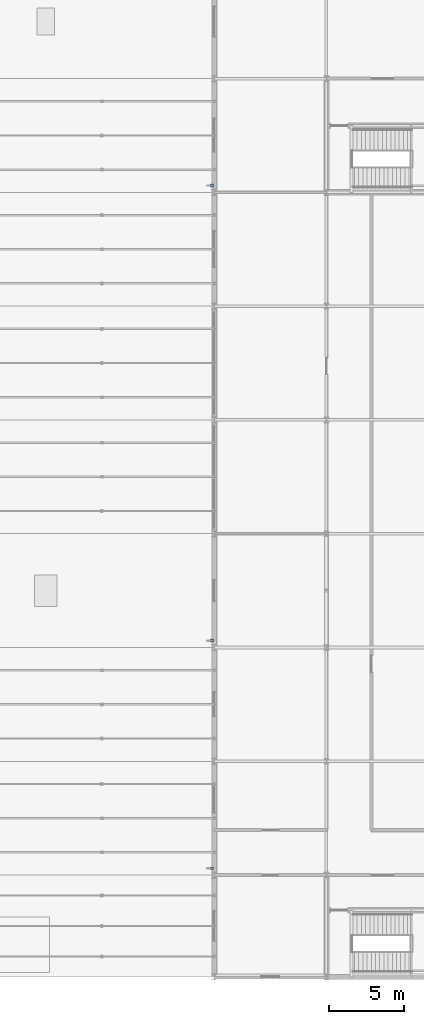
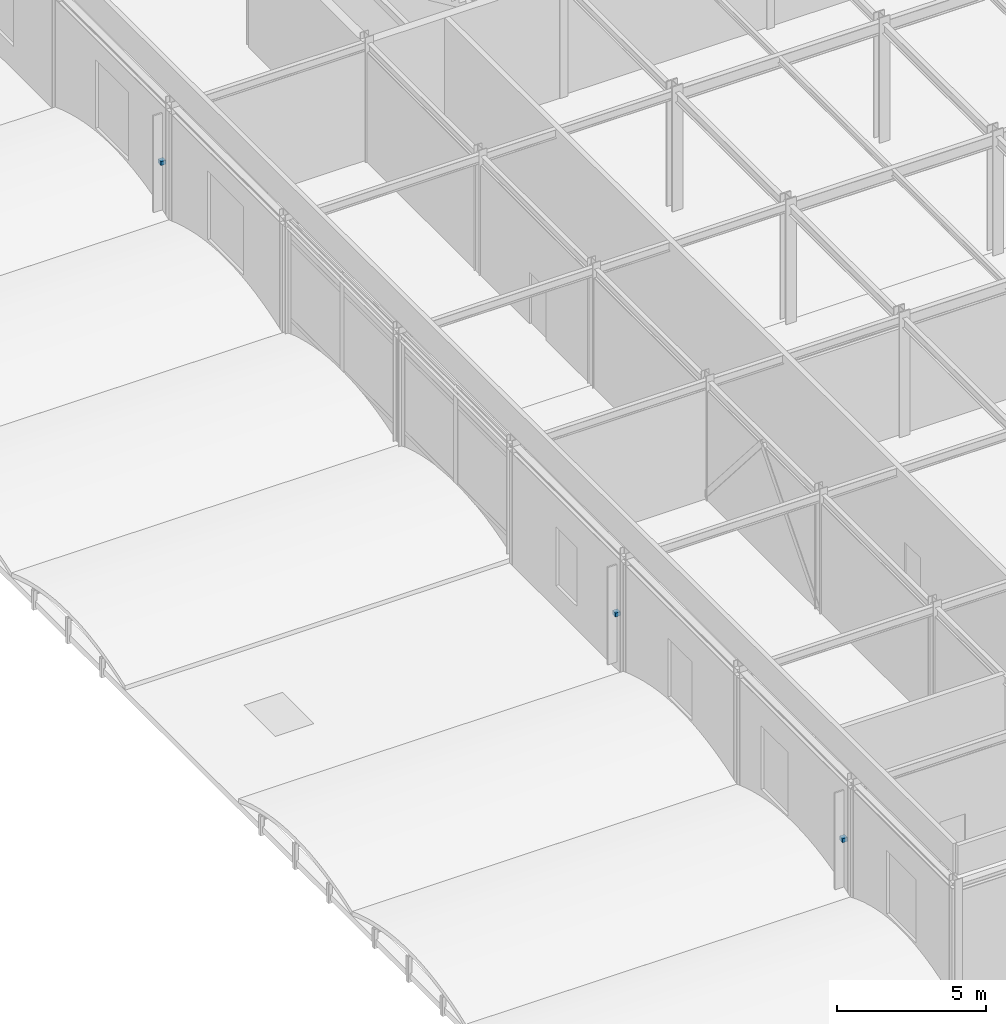
# One storey, part 68 of 79: 3 discrete accessories.
"""IFC4 building model written with IfcOpenShell, lengths in metres."""

from ifc_helpers import new_model, si_unit, direction, frame, origin, origin_2d, place, context, subcontext, project, spatial, rectangle, extrude, material, type_object, element, save


model = new_model("IFC4")

# Units and contexts
model_context = context("Model", 3, precision=1e-05, world=origin(), true_north=direction((0.0, 1.0)))
body_context = subcontext(model_context, "Body", "Model", "MODEL_VIEW")
ifc_project = project(units=[si_unit("LENGTHUNIT", "METRE"), si_unit("AREAUNIT", "SQUARE_METRE"), si_unit("VOLUMEUNIT", "CUBIC_METRE"), si_unit("PLANEANGLEUNIT", "RADIAN"), si_unit("MASSUNIT", "GRAM", prefix="KILO")], contexts=[model_context])

# Site, building, storey
site_placement = place(None, origin())
site = spatial("IfcSite", under=ifc_project, at=site_placement, CompositionType="ELEMENT")
building_placement = place(site_placement, origin())
building = spatial("IfcBuilding", under=site, at=building_placement, Name="Shalkamar Park Central Library", CompositionType="ELEMENT")
storey_placement = place(building_placement, frame((0.0, 0.0, 10.5)))
storey = spatial("IfcBuildingStorey", under=building, at=storey_placement, Name="L03", CompositionType="ELEMENT", Elevation=10.5)

# Discrete accessories
ifc_material = material(Name="Steel S355", Category="steel")
discrete_accessory_type = type_object("IfcDiscreteAccessoryType", Name="Stainless Facade Bracket", PredefinedType="BRACKET", material=ifc_material)
for number, where, z_axis, x_axis, name in (
    (1, (149.85498046875, 255.656005859375, 2.208984375), (0.0, 0.0, 1.0), (1.0, 0.0, 0.0), "Solar Fin Bracket L03-001"),
    (2, (149.85498046875, 270.85595703125, 2.208984375), (0.0, 0.0, 1.0), (1.0, 0.0, 0.0), "Solar Fin Bracket L03-002"),
    (3, (149.85498046875, 301.256103515625, 2.208984375), (0.0, 0.0, 1.0), (1.0, 0.0, 0.0), "Solar Fin Bracket L03-003"),
):
    element("IfcDiscreteAccessory", number, at=place(storey_placement, frame(where, z_axis=z_axis, x_axis=x_axis)), inside=storey, type_object=discrete_accessory_type, Name=name, PredefinedType="BRACKET", context=body_context, shape_type="SweptSolid", body=[
        extrude(rectangle(XDim=0.199951171875, YDim=0.199951171875, at=origin_2d()), origin(), (0.0, 0.0, 1.0), 0.159912109375),
    ])

save(model, "model.ifc")
